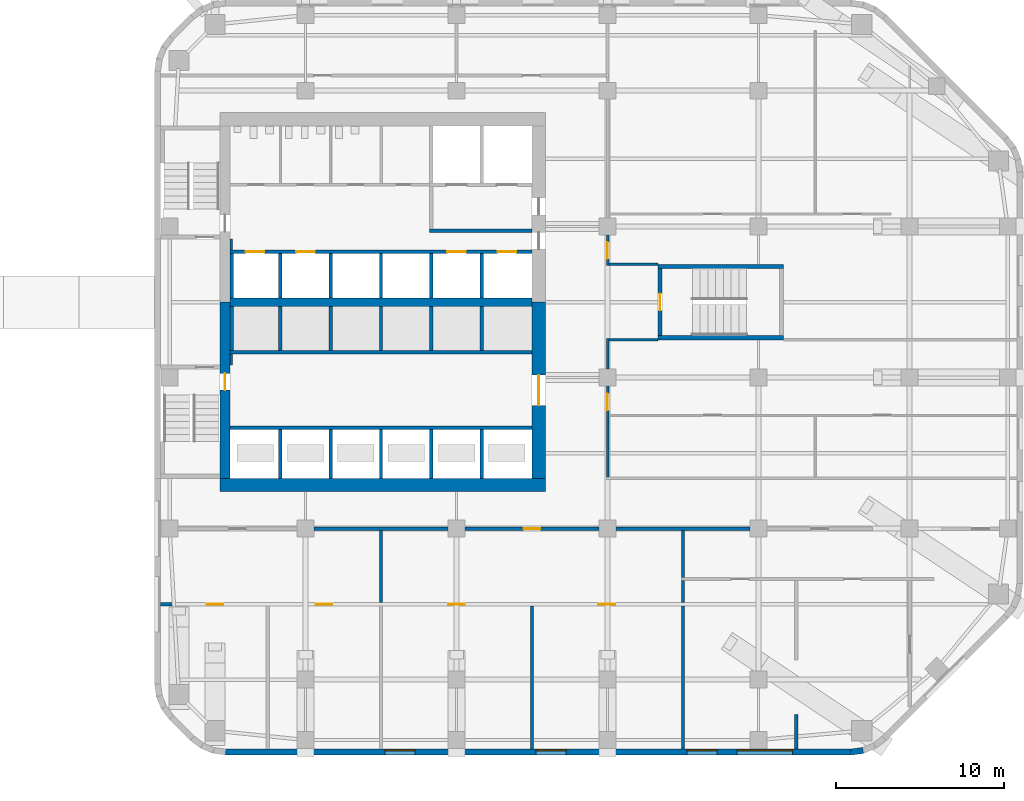
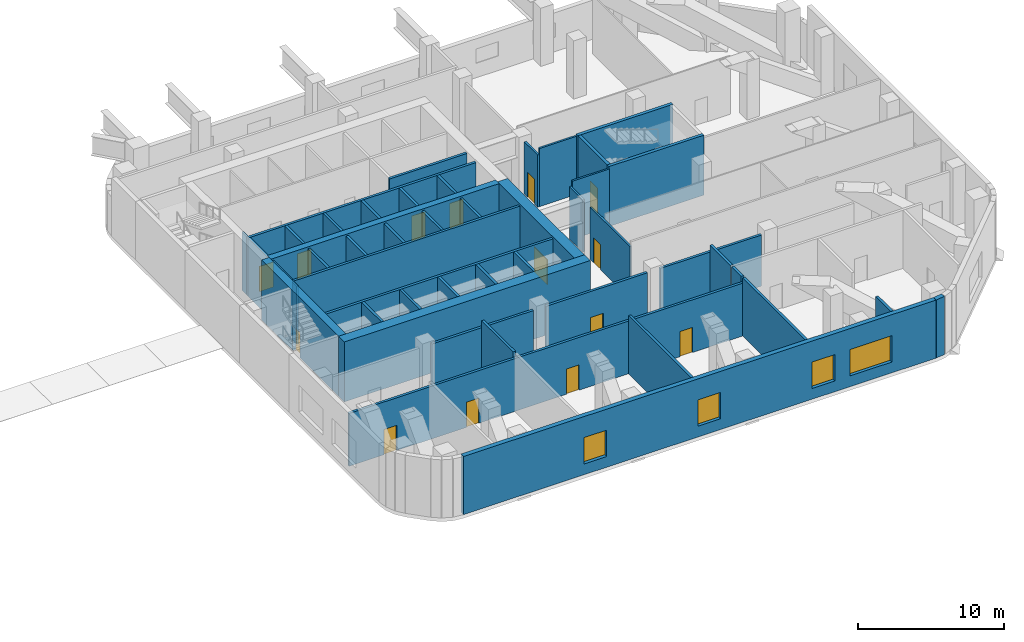
# One storey, part 5 of 11: 47 walls, 14 doors, 4 windows, 18 openings.
"""IFC4 building model written with IfcOpenShell, lengths in metres."""

from ifc_helpers import new_model, si_unit, direction, frame, frame_2d, origin, place, context, subcontext, project, spatial, rectangle, extrude, material, layer, layer_set, type_object, element, fill, save


model = new_model("IFC4")

# Units and contexts
model_context = context("Model", 3, precision=1e-05, world=origin(), true_north=direction((0.0, 1.0)))
body_context = subcontext(model_context, "Body", "Model", "MODEL_VIEW")
ifc_project = project(units=[si_unit("LENGTHUNIT", "METRE"), si_unit("AREAUNIT", "SQUARE_METRE"), si_unit("VOLUMEUNIT", "CUBIC_METRE"), si_unit("PLANEANGLEUNIT", "RADIAN"), si_unit("MASSUNIT", "GRAM", prefix="KILO")], contexts=[model_context])

# Site, building, storey
site_placement = place(None, origin())
site = spatial("IfcSite", under=ifc_project, at=site_placement, CompositionType="ELEMENT")
building_placement = place(site_placement, origin())
building = spatial("IfcBuilding", under=site, at=building_placement, Name="Cinnabar Reach Civic Tower", CompositionType="ELEMENT")
storey_placement = place(building_placement, frame((0.0, 0.0, 144.0)))
storey = spatial("IfcBuildingStorey", under=building, at=storey_placement, Name="L34", CompositionType="ELEMENT", Elevation=144.0)

# Wall
ifc_material_1 = material(Name="Facing brick with insulated backing", Category="masonry")
ifc_layer_1 = layer(ifc_material_1, 0.36)
ifc_layer_set_1 = layer_set([ifc_layer_1], Name="Brick corner wall")
wall_type_1 = type_object("IfcWallType", Name="Brick corner wall", PredefinedType="STANDARD", material=ifc_layer_set_1)
wall_1_placement = place(storey_placement, frame((41.5186, 4.683, 0.0), z_axis=(0.0, 0.0, 1.0), x_axis=(0.99144092581, 0.13055608231, 0.0)))
element("IfcWall", 1, at=wall_1_placement, inside=storey, type_object=wall_type_1, Name="Brick corner wall", PredefinedType="STANDARD", context=body_context, shape_type="SweptSolid", body=[
    extrude(rectangle(XDim=0.7131, YDim=0.36, at=frame_2d((0.3565, 0.0))), origin(), (0.0, 0.0, 1.0), 4.85),
])

# Wall, openings, windows
ifc_layer_2 = layer(ifc_material_1, 0.36)
ifc_layer_set_2 = layer_set([ifc_layer_2], Name="Brick pier and spandrel wall")
wall_type_2 = type_object("IfcWallType", Name="Brick pier and spandrel wall", PredefinedType="STANDARD", material=ifc_layer_set_2)
wall_2_placement = place(storey_placement, frame((4.2426, 4.68, 0.0), z_axis=(0.0, 0.0, 1.0), x_axis=(1.0, 0.0, 0.0)))
wall_2 = element("IfcWall", 2, at=wall_2_placement, inside=storey, type_object=wall_type_2, Name="Brick facade wall", PredefinedType="STANDARD", context=body_context, shape_type="SweptSolid", body=[
    extrude(rectangle(XDim=37.2648, YDim=0.36, at=frame_2d((18.6324, 0.0))), origin(), (0.0, 0.0, 1.0), 4.85),
])
opening_1_placement = place(wall_2_placement, frame((9.4824, 0.0, 0.9)))
opening_1 = element("IfcOpeningElement", 3, at=opening_1_placement, cuts=wall_2, Name="Opening W1721", PredefinedType="OPENING", context=body_context, shape_type="SweptSolid", body=[
    extrude(rectangle(XDim=1.8, YDim=2.2, at=frame_2d((0.9, 1.1))), frame((0.0, 0.19, 0.0), z_axis=(0.0, -1.0, 0.0), x_axis=(1.0, 0.0, 0.0)), (0.0, 0.0, 1.0), 0.38),
])
opening_2_placement = place(wall_2_placement, frame((18.4824, 0.0, 0.9)))
opening_2 = element("IfcOpeningElement", 4, at=opening_2_placement, cuts=wall_2, Name="Opening W1722", PredefinedType="OPENING", context=body_context, shape_type="SweptSolid", body=[
    extrude(rectangle(XDim=1.8, YDim=2.2, at=frame_2d((0.9, 1.1))), frame((0.0, 0.19, 0.0), z_axis=(0.0, -1.0, 0.0), x_axis=(1.0, 0.0, 0.0)), (0.0, 0.0, 1.0), 0.38),
])
opening_3_placement = place(wall_2_placement, frame((27.4824, 0.0, 0.9)))
opening_3 = element("IfcOpeningElement", 5, at=opening_3_placement, cuts=wall_2, Name="Opening W1723", PredefinedType="OPENING", context=body_context, shape_type="SweptSolid", body=[
    extrude(rectangle(XDim=1.8, YDim=2.2, at=frame_2d((0.9, 1.1))), frame((0.0, 0.19, 0.0), z_axis=(0.0, -1.0, 0.0), x_axis=(1.0, 0.0, 0.0)), (0.0, 0.0, 1.0), 0.38),
])
opening_4_placement = place(wall_2_placement, frame((30.4824, 0.0, 0.9)))
opening_4 = element("IfcOpeningElement", 6, at=opening_4_placement, cuts=wall_2, Name="Opening W1724", PredefinedType="OPENING", context=body_context, shape_type="SweptSolid", body=[
    extrude(rectangle(XDim=3.3, YDim=2.2, at=frame_2d((1.65, 1.1))), frame((0.0, 0.19, 0.0), z_axis=(0.0, -1.0, 0.0), x_axis=(1.0, 0.0, 0.0)), (0.0, 0.0, 1.0), 0.38),
])
ifc_material_2 = material(Name="Clear double glazing in aluminium frame", Category="aluminium")
window_type_1 = type_object("IfcWindowType", Name="Deep-set window B", PartitioningType="SINGLE_PANEL", PredefinedType="WINDOW", material=ifc_material_2)
window_1_placement = place(opening_4_placement, origin())
window_1 = element("IfcWindow", 7, at=window_1_placement, inside=storey, type_object=window_type_1, Name="Window south face", OverallHeight=2.2, OverallWidth=3.3, PartitioningType="SINGLE_PANEL", PredefinedType="WINDOW", context=body_context, shape_type="SweptSolid", body=[
    extrude(rectangle(XDim=3.3, YDim=2.2, at=frame_2d((1.65, 1.1))), frame((0.0, 0.13, 0.0), z_axis=(0.0, -1.0, 0.0), x_axis=(1.0, 0.0, 0.0)), (0.0, 0.0, 1.0), 0.06),
])
fill(opening_4, window_1)
window_type_2 = type_object("IfcWindowType", Name="Deep-set window E", PartitioningType="SINGLE_PANEL", PredefinedType="WINDOW", material=ifc_material_2)
window_2_placement = place(opening_1_placement, origin())
window_2 = element("IfcWindow", 8, at=window_2_placement, inside=storey, type_object=window_type_2, Name="Window south face", OverallHeight=2.2, OverallWidth=1.8, PartitioningType="SINGLE_PANEL", PredefinedType="WINDOW", context=body_context, shape_type="SweptSolid", body=[
    extrude(rectangle(XDim=1.8, YDim=2.2, at=frame_2d((0.9, 1.1))), frame((0.0, 0.13, 0.0), z_axis=(0.0, -1.0, 0.0), x_axis=(1.0, 0.0, 0.0)), (0.0, 0.0, 1.0), 0.06),
])
fill(opening_1, window_2)
window_3_placement = place(opening_2_placement, origin())
window_3 = element("IfcWindow", 9, at=window_3_placement, inside=storey, type_object=window_type_2, Name="Window south face", OverallHeight=2.2, OverallWidth=1.8, PartitioningType="SINGLE_PANEL", PredefinedType="WINDOW", context=body_context, shape_type="SweptSolid", body=[
    extrude(rectangle(XDim=1.8, YDim=2.2, at=frame_2d((0.9, 1.1))), frame((0.0, 0.13, 0.0), z_axis=(0.0, -1.0, 0.0), x_axis=(1.0, 0.0, 0.0)), (0.0, 0.0, 1.0), 0.06),
])
fill(opening_2, window_3)
window_4_placement = place(opening_3_placement, origin())
window_4 = element("IfcWindow", 10, at=window_4_placement, inside=storey, type_object=window_type_2, Name="Window south face", OverallHeight=2.2, OverallWidth=1.8, PartitioningType="SINGLE_PANEL", PredefinedType="WINDOW", context=body_context, shape_type="SweptSolid", body=[
    extrude(rectangle(XDim=1.8, YDim=2.2, at=frame_2d((0.9, 1.1))), frame((0.0, 0.13, 0.0), z_axis=(0.0, -1.0, 0.0), x_axis=(1.0, 0.0, 0.0)), (0.0, 0.0, 1.0), 0.06),
])
fill(opening_3, window_4)

# Wall
ifc_material_3 = material(Name="Concrete C60", Category="concrete")
ifc_layer_3 = layer(ifc_material_3, 0.5)
ifc_layer_set_3 = layer_set([ifc_layer_3], Name="Core wall 500 EI 180")
wall_type_3 = type_object("IfcWallType", Name="Core wall 500 EI 180", PredefinedType="SOLIDWALL", material=ifc_layer_set_3)
wall_3_placement = place(storey_placement, frame((4.5, 31.5, 0.0), z_axis=(0.0, 0.0, 1.0), x_axis=(1.0, 0.0, 0.0)))
element("IfcWall", 11, at=wall_3_placement, inside=storey, type_object=wall_type_3, Name="Core spine wall T1 L34", PredefinedType="SOLIDWALL", context=body_context, shape_type="SweptSolid", body=[
    extrude(rectangle(XDim=18.0, YDim=0.5, at=frame_2d((9.0, 0.0))), origin(), (0.0, 0.0, 1.0), 5.0),
])

# Wall, opening, door
ifc_material_4 = material(Name="Concrete C70", Category="concrete")
ifc_layer_4 = layer(ifc_material_4, 0.6)
ifc_layer_set_4 = layer_set([ifc_layer_4], Name="Core wall 600 EI 180")
wall_type_4 = type_object("IfcWallType", Name="Core wall 600 EI 180", PredefinedType="SOLIDWALL", material=ifc_layer_set_4)
wall_4_placement = place(storey_placement, frame((4.2, 31.5, 0.0), z_axis=(0.0, 0.0, 1.0), x_axis=(0.0, -1.0, 0.0)))
wall_4 = element("IfcWall", 12, at=wall_4_placement, inside=storey, type_object=wall_type_4, Name="Core wall T1 L34 W2", PredefinedType="SOLIDWALL", context=body_context, shape_type="SweptSolid", body=[
    extrude(rectangle(XDim=10.5, YDim=0.6, at=frame_2d((5.25, 0.0))), origin(), (0.0, 0.0, 1.0), 5.0),
])
opening_5_placement = place(wall_4_placement, frame((4.25, 0.0, 0.0)))
opening_5 = element("IfcOpeningElement", 13, at=opening_5_placement, cuts=wall_4, Name="Opening D4374", PredefinedType="OPENING", context=body_context, shape_type="SweptSolid", body=[
    extrude(rectangle(XDim=1.0, YDim=2.1, at=frame_2d((0.5, 1.05))), frame((0.0, 0.31, 0.0), z_axis=(0.0, -1.0, 0.0), x_axis=(1.0, 0.0, 0.0)), (0.0, 0.0, 1.0), 0.62),
])
ifc_material_5 = material(Name="Timber door leaf in steel frame", Category="steel")
door_type_1 = type_object("IfcDoorType", Name="Stair door 1000 x 2100 T1", OperationType="SINGLE_SWING_LEFT", PredefinedType="DOOR", material=ifc_material_5)
door_1_placement = place(opening_5_placement, frame((1.0, 0.0, 0.0), z_axis=(0.0, 0.0, 1.0), x_axis=(-1.0, 0.0, 0.0)))
door_1 = element("IfcDoor", 14, at=door_1_placement, inside=storey, type_object=door_type_1, Name="Door D4374", OperationType="SINGLE_SWING_RIGHT", OverallHeight=2.1, OverallWidth=1.0, PredefinedType="DOOR", context=body_context, shape_type="SweptSolid", body=[
    extrude(rectangle(XDim=1.0, YDim=2.1, at=frame_2d((0.5, 1.05))), frame((0.0, 0.025, 0.0), z_axis=(0.0, -1.0, 0.0), x_axis=(1.0, 0.0, 0.0)), (0.0, 0.0, 1.0), 0.05),
])
fill(opening_5, door_1)

# Wall
ifc_layer_5 = layer(ifc_material_4, 0.8)
ifc_layer_set_5 = layer_set([ifc_layer_5], Name="Core wall 800 EI 180")
wall_type_5 = type_object("IfcWallType", Name="Core wall 800 EI 180", PredefinedType="SOLIDWALL", material=ifc_layer_set_5)
wall_5_placement = place(storey_placement, frame((3.9, 20.6, 0.0), z_axis=(0.0, 0.0, 1.0), x_axis=(1.0, 0.0, 0.0)))
element("IfcWall", 15, at=wall_5_placement, inside=storey, type_object=wall_type_5, Name="Core wall T1 L34 S", PredefinedType="SOLIDWALL", context=body_context, shape_type="SweptSolid", body=[
    extrude(rectangle(XDim=19.4, YDim=0.8, at=frame_2d((9.7, 0.0))), origin(), (0.0, 0.0, 1.0), 5.0),
])

# Wall, opening, door
wall_6_placement = place(storey_placement, frame((22.9, 21.0, 0.0), z_axis=(0.0, 0.0, 1.0), x_axis=(0.0, 1.0, 0.0)))
wall_6 = element("IfcWall", 16, at=wall_6_placement, inside=storey, type_object=wall_type_5, Name="Core wall T1 L34 E", PredefinedType="SOLIDWALL", context=body_context, shape_type="SweptSolid", body=[
    extrude(rectangle(XDim=10.5, YDim=0.8, at=frame_2d((5.25, 0.0))), origin(), (0.0, 0.0, 1.0), 5.0),
])
opening_6_placement = place(wall_6_placement, frame((4.35, 0.0, 0.0)))
opening_6 = element("IfcOpeningElement", 17, at=opening_6_placement, cuts=wall_6, Name="Opening D4384", PredefinedType="OPENING", context=body_context, shape_type="SweptSolid", body=[
    extrude(rectangle(XDim=1.8, YDim=2.1, at=frame_2d((0.9, 1.05))), frame((0.0, 0.41, 0.0), z_axis=(0.0, -1.0, 0.0), x_axis=(1.0, 0.0, 0.0)), (0.0, 0.0, 1.0), 0.82),
])
door_type_2 = type_object("IfcDoorType", Name="Double swing door 1800 x 2100 T1", OperationType="DOUBLE_DOOR_DOUBLE_SWING", PredefinedType="DOOR", material=ifc_material_5)
door_2_placement = place(opening_6_placement, origin())
door_2 = element("IfcDoor", 18, at=door_2_placement, inside=storey, type_object=door_type_2, Name="Door D4384", OperationType="DOUBLE_DOOR_DOUBLE_SWING", OverallHeight=2.1, OverallWidth=1.8, PredefinedType="DOOR", context=body_context, shape_type="SweptSolid", body=[
    extrude(rectangle(XDim=1.8, YDim=2.1, at=frame_2d((0.9, 1.05))), frame((0.0, 0.025, 0.0), z_axis=(0.0, -1.0, 0.0), x_axis=(1.0, 0.0, 0.0)), (0.0, 0.0, 1.0), 0.05),
])
fill(opening_6, door_2)

ifc_material_6 = material(Name="Gypsum board on steel studs, double layer", Category="steel")
ifc_layer_6 = layer(ifc_material_6, 0.15)
ifc_layer_set_6 = layer_set([ifc_layer_6], Name="Corridor wall 150 T1")
wall_type_6 = type_object("IfcWallType", Name="Corridor wall 150 T1", PredefinedType="PARTITIONING", material=ifc_layer_set_6)
wall_7_placement = place(storey_placement, frame((27.0, 33.675, 0.0), z_axis=(0.0, 0.0, 1.0), x_axis=(0.0, 1.0, 0.0)))
wall_7 = element("IfcWall", 19, at=wall_7_placement, inside=storey, type_object=wall_type_6, Name="Corridor wall 49", PredefinedType="PARTITIONING", context=body_context, shape_type="SweptSolid", body=[
    extrude(rectangle(XDim=1.825, YDim=0.15, at=frame_2d((0.9125, 0.0))), origin(), (0.0, 0.0, 1.0), 4.362),
])
opening_7_placement = place(wall_7_placement, frame((0.4, 0.0, 0.0)))
opening_7 = element("IfcOpeningElement", 20, at=opening_7_placement, cuts=wall_7, Name="Opening D4392", PredefinedType="OPENING", context=body_context, shape_type="SweptSolid", body=[
    extrude(rectangle(XDim=1.0, YDim=2.1, at=frame_2d((0.5, 1.05))), frame((0.0, 0.085, 0.0), z_axis=(0.0, -1.0, 0.0), x_axis=(1.0, 0.0, 0.0)), (0.0, 0.0, 1.0), 0.17),
])
door_type_3 = type_object("IfcDoorType", Name="Plant room door 1000 x 2100 T1", OperationType="SINGLE_SWING_LEFT", PredefinedType="DOOR", material=ifc_material_5)
door_3_placement = place(opening_7_placement, frame((1.0, 0.0, 0.0), z_axis=(0.0, 0.0, 1.0), x_axis=(-1.0, 0.0, 0.0)))
door_3 = element("IfcDoor", 21, at=door_3_placement, inside=storey, type_object=door_type_3, Name="Door D4392", OperationType="SINGLE_SWING_RIGHT", OverallHeight=2.1, OverallWidth=1.0, PredefinedType="DOOR", context=body_context, shape_type="SweptSolid", body=[
    extrude(rectangle(XDim=1.0, YDim=2.1, at=frame_2d((0.5, 1.05))), frame((0.0, 0.025, 0.0), z_axis=(0.0, -1.0, 0.0), x_axis=(1.0, 0.0, 0.0)), (0.0, 0.0, 1.0), 0.05),
])
fill(opening_7, door_3)

wall_8_placement = place(storey_placement, frame((27.0, 21.075, 0.0), z_axis=(0.0, 0.0, 1.0), x_axis=(0.0, 1.0, 0.0)))
wall_8 = element("IfcWall", 22, at=wall_8_placement, inside=storey, type_object=wall_type_6, Name="Corridor wall 52", PredefinedType="PARTITIONING", context=body_context, shape_type="SweptSolid", body=[
    extrude(rectangle(XDim=5.425, YDim=0.15, at=frame_2d((2.7125, 0.0))), origin(), (0.0, 0.0, 1.0), 4.362),
])
opening_8_placement = place(wall_8_placement, frame((3.975, 0.0, 0.0)))
opening_8 = element("IfcOpeningElement", 23, at=opening_8_placement, cuts=wall_8, Name="Opening D4395", PredefinedType="OPENING", context=body_context, shape_type="SweptSolid", body=[
    extrude(rectangle(XDim=1.0, YDim=2.1, at=frame_2d((0.5, 1.05))), frame((0.0, 0.085, 0.0), z_axis=(0.0, -1.0, 0.0), x_axis=(1.0, 0.0, 0.0)), (0.0, 0.0, 1.0), 0.17),
])
door_4_placement = place(opening_8_placement, frame((1.0, 0.0, 0.0), z_axis=(0.0, 0.0, 1.0), x_axis=(-1.0, 0.0, 0.0)))
door_4 = element("IfcDoor", 24, at=door_4_placement, inside=storey, type_object=door_type_3, Name="Door D4395", OperationType="SINGLE_SWING_RIGHT", OverallHeight=2.1, OverallWidth=1.0, PredefinedType="DOOR", context=body_context, shape_type="SweptSolid", body=[
    extrude(rectangle(XDim=1.0, YDim=2.1, at=frame_2d((0.5, 1.05))), frame((0.0, 0.025, 0.0), z_axis=(0.0, -1.0, 0.0), x_axis=(1.0, 0.0, 0.0)), (0.0, 0.0, 1.0), 0.05),
])
fill(opening_8, door_4)

# Walls
wall_9_placement = place(storey_placement, frame((27.0, 27.5, 0.0), z_axis=(0.0, 0.0, 1.0), x_axis=(0.0, 1.0, 0.0)))
element("IfcWall", 25, at=wall_9_placement, inside=storey, type_object=wall_type_6, Name="Corridor wall 53", PredefinedType="PARTITIONING", context=body_context, shape_type="SweptSolid", body=[
    extrude(rectangle(XDim=1.825, YDim=0.15, at=frame_2d((0.9125, 0.0))), origin(), (0.0, 0.0, 1.0), 4.362),
])
for number, where, z_axis, x_axis, name in (
    (26, (27.075, 29.25, 0.0), (0.0, 0.0, 1.0), (1.0, 0.0, 0.0), "Corridor wall 54"),
    (27, (27.075, 33.75, 0.0), (0.0, 0.0, 1.0), (1.0, 0.0, 0.0), "Corridor wall 55"),
):
    element("IfcWall", number, at=place(storey_placement, frame(where, z_axis=z_axis, x_axis=x_axis)), inside=storey, type_object=wall_type_6, Name=name, PredefinedType="PARTITIONING", context=body_context, shape_type="SweptSolid", body=[
        extrude(rectangle(XDim=2.925, YDim=0.15, at=frame_2d((1.4625, 0.0))), origin(), (0.0, 0.0, 1.0), 4.85),
    ])
for number, where, z_axis, x_axis, name in (
    (28, (4.575, 27.75, 0.0), (0.0, 0.0, 1.0), (0.0, 1.0, 0.0), "Corridor wall 56"),
    (29, (4.575, 34.6, 0.0), (0.0, 0.0, 1.0), (0.0, 1.0, 0.0), "Corridor wall 57"),
):
    element("IfcWall", number, at=place(storey_placement, frame(where, z_axis=z_axis, x_axis=x_axis)), inside=storey, type_object=wall_type_6, Name=name, PredefinedType="PARTITIONING", context=body_context, shape_type="SweptSolid", body=[
        extrude(rectangle(XDim=0.65, YDim=0.15, at=frame_2d((0.325, 0.0))), origin(), (0.0, 0.0, 1.0), 4.85),
    ])
ifc_material_7 = material(Name="Blockwork", Category="masonry")
ifc_layer_7 = layer(ifc_material_7, 0.2)
ifc_layer_set_7 = layer_set([ifc_layer_7], Name="Lift shaft wall 200 T1")
wall_type_7 = type_object("IfcWallType", Name="Lift shaft wall 200 T1", PredefinedType="PARTITIONING", material=ifc_layer_set_7)
for number, where, z_axis, x_axis, name in (
    (30, (4.5, 24.0, 0.0), (0.0, 0.0, 1.0), (1.0, 0.0, 0.0), "Lift shaft wall 25"),
    (31, (4.5, 28.5, 0.0), (0.0, 0.0, 1.0), (1.0, 0.0, 0.0), "Lift shaft wall 26"),
):
    element("IfcWall", number, at=place(storey_placement, frame(where, z_axis=z_axis, x_axis=x_axis)), inside=storey, type_object=wall_type_7, Name=name, PredefinedType="PARTITIONING", context=body_context, shape_type="SweptSolid", body=[
        extrude(rectangle(XDim=18.0, YDim=0.2, at=frame_2d((9.0, 0.0))), origin(), (0.0, 0.0, 1.0), 4.85),
    ])

# Wall, openings, doors
wall_10_placement = place(storey_placement, frame((4.5, 34.5, 0.0), z_axis=(0.0, 0.0, 1.0), x_axis=(1.0, 0.0, 0.0)))
wall_10 = element("IfcWall", 32, at=wall_10_placement, inside=storey, type_object=wall_type_7, Name="Lift shaft wall 27", PredefinedType="PARTITIONING", context=body_context, shape_type="SweptSolid", body=[
    extrude(rectangle(XDim=18.0, YDim=0.2, at=frame_2d((9.0, 0.0))), origin(), (0.0, 0.0, 1.0), 4.85),
])
opening_9_placement = place(wall_10_placement, frame((0.95, 0.0, 0.0)))
opening_9 = element("IfcOpeningElement", 33, at=opening_9_placement, cuts=wall_10, Name="Opening D4378", PredefinedType="OPENING", context=body_context, shape_type="SweptSolid", body=[
    extrude(rectangle(XDim=1.1, YDim=2.1, at=frame_2d((0.55, 1.05))), frame((0.0, 0.11, 0.0), z_axis=(0.0, -1.0, 0.0), x_axis=(1.0, 0.0, 0.0)), (0.0, 0.0, 1.0), 0.22),
])
opening_10_placement = place(wall_10_placement, frame((3.95, 0.0, 0.0)))
opening_10 = element("IfcOpeningElement", 34, at=opening_10_placement, cuts=wall_10, Name="Opening D4379", PredefinedType="OPENING", context=body_context, shape_type="SweptSolid", body=[
    extrude(rectangle(XDim=1.1, YDim=2.1, at=frame_2d((0.55, 1.05))), frame((0.0, 0.11, 0.0), z_axis=(0.0, -1.0, 0.0), x_axis=(1.0, 0.0, 0.0)), (0.0, 0.0, 1.0), 0.22),
])
opening_11_placement = place(wall_10_placement, frame((12.95, 0.0, 0.0)))
opening_11 = element("IfcOpeningElement", 35, at=opening_11_placement, cuts=wall_10, Name="Opening D4380", PredefinedType="OPENING", context=body_context, shape_type="SweptSolid", body=[
    extrude(rectangle(XDim=1.1, YDim=2.1, at=frame_2d((0.55, 1.05))), frame((0.0, 0.11, 0.0), z_axis=(0.0, -1.0, 0.0), x_axis=(1.0, 0.0, 0.0)), (0.0, 0.0, 1.0), 0.22),
])
opening_12_placement = place(wall_10_placement, frame((15.95, 0.0, 0.0)))
opening_12 = element("IfcOpeningElement", 36, at=opening_12_placement, cuts=wall_10, Name="Opening D4381", PredefinedType="OPENING", context=body_context, shape_type="SweptSolid", body=[
    extrude(rectangle(XDim=1.1, YDim=2.1, at=frame_2d((0.55, 1.05))), frame((0.0, 0.11, 0.0), z_axis=(0.0, -1.0, 0.0), x_axis=(1.0, 0.0, 0.0)), (0.0, 0.0, 1.0), 0.22),
])
ifc_material_8 = material(Name="Stainless steel sliding door", Category="steel")
door_type_4 = type_object("IfcDoorType", Name="Lift landing door 1100 x 2100 T1", OperationType="SLIDING_TO_LEFT", PredefinedType="DOOR", material=ifc_material_8)
door_5_placement = place(opening_9_placement, origin())
door_5 = element("IfcDoor", 37, at=door_5_placement, inside=storey, type_object=door_type_4, Name="Lift landing door SH1 L34", OperationType="SLIDING_TO_LEFT", OverallHeight=2.1, OverallWidth=1.1, PredefinedType="DOOR", context=body_context, shape_type="SweptSolid", body=[
    extrude(rectangle(XDim=1.1, YDim=2.1, at=frame_2d((0.55, 1.05))), frame((0.0, 0.025, 0.0), z_axis=(0.0, -1.0, 0.0), x_axis=(1.0, 0.0, 0.0)), (0.0, 0.0, 1.0), 0.05),
])
fill(opening_9, door_5)
door_6_placement = place(opening_10_placement, origin())
door_6 = element("IfcDoor", 38, at=door_6_placement, inside=storey, type_object=door_type_4, Name="Lift landing door SH2 L34", OperationType="SLIDING_TO_LEFT", OverallHeight=2.1, OverallWidth=1.1, PredefinedType="DOOR", context=body_context, shape_type="SweptSolid", body=[
    extrude(rectangle(XDim=1.1, YDim=2.1, at=frame_2d((0.55, 1.05))), frame((0.0, 0.025, 0.0), z_axis=(0.0, -1.0, 0.0), x_axis=(1.0, 0.0, 0.0)), (0.0, 0.0, 1.0), 0.05),
])
fill(opening_10, door_6)
door_7_placement = place(opening_11_placement, origin())
door_7 = element("IfcDoor", 39, at=door_7_placement, inside=storey, type_object=door_type_4, Name="Lift landing door SV1 L34", OperationType="SLIDING_TO_LEFT", OverallHeight=2.1, OverallWidth=1.1, PredefinedType="DOOR", context=body_context, shape_type="SweptSolid", body=[
    extrude(rectangle(XDim=1.1, YDim=2.1, at=frame_2d((0.55, 1.05))), frame((0.0, 0.025, 0.0), z_axis=(0.0, -1.0, 0.0), x_axis=(1.0, 0.0, 0.0)), (0.0, 0.0, 1.0), 0.05),
])
fill(opening_11, door_7)
door_8_placement = place(opening_12_placement, origin())
door_8 = element("IfcDoor", 40, at=door_8_placement, inside=storey, type_object=door_type_4, Name="Lift landing door SV2 L34", OperationType="SLIDING_TO_LEFT", OverallHeight=2.1, OverallWidth=1.1, PredefinedType="DOOR", context=body_context, shape_type="SweptSolid", body=[
    extrude(rectangle(XDim=1.1, YDim=2.1, at=frame_2d((0.55, 1.05))), frame((0.0, 0.025, 0.0), z_axis=(0.0, -1.0, 0.0), x_axis=(1.0, 0.0, 0.0)), (0.0, 0.0, 1.0), 0.05),
])
fill(opening_12, door_8)

# Walls
for number, where, z_axis, x_axis, name in (
    (41, (4.6, 31.75, 0.0), (0.0, 0.0, 1.0), (0.0, 1.0, 0.0), "Lift shaft wall 28"),
    (42, (4.6, 28.6, 0.0), (0.0, 0.0, 1.0), (0.0, 1.0, 0.0), "Lift shaft wall 29"),
    (43, (7.5, 28.6, 0.0), (0.0, 0.0, 1.0), (0.0, 1.0, 0.0), "Lift shaft wall 30"),
    (44, (7.5, 31.75, 0.0), (0.0, 0.0, 1.0), (0.0, 1.0, 0.0), "Lift shaft wall 31"),
    (45, (10.5, 28.6, 0.0), (0.0, 0.0, 1.0), (0.0, 1.0, 0.0), "Lift shaft wall 32"),
    (46, (10.5, 31.75, 0.0), (0.0, 0.0, 1.0), (0.0, 1.0, 0.0), "Lift shaft wall 33"),
    (47, (13.5, 28.6, 0.0), (0.0, 0.0, 1.0), (0.0, 1.0, 0.0), "Lift shaft wall 34"),
    (48, (13.5, 31.75, 0.0), (0.0, 0.0, 1.0), (0.0, 1.0, 0.0), "Lift shaft wall 35"),
    (49, (16.5, 28.6, 0.0), (0.0, 0.0, 1.0), (0.0, 1.0, 0.0), "Lift shaft wall 36"),
    (50, (16.5, 31.75, 0.0), (0.0, 0.0, 1.0), (0.0, 1.0, 0.0), "Lift shaft wall 37"),
    (51, (19.5, 28.6, 0.0), (0.0, 0.0, 1.0), (0.0, 1.0, 0.0), "Lift shaft wall 38"),
    (52, (19.5, 31.75, 0.0), (0.0, 0.0, 1.0), (0.0, 1.0, 0.0), "Lift shaft wall 39"),
):
    element("IfcWall", number, at=place(storey_placement, frame(where, z_axis=z_axis, x_axis=x_axis)), inside=storey, type_object=wall_type_7, Name=name, PredefinedType="PARTITIONING", context=body_context, shape_type="SweptSolid", body=[
        extrude(rectangle(XDim=2.65, YDim=0.2, at=frame_2d((1.325, 0.0))), origin(), (0.0, 0.0, 1.0), 4.85),
    ])
for number, where, z_axis, x_axis, name in (
    (53, (7.5, 21.0, 0.0), (0.0, 0.0, 1.0), (0.0, 1.0, 0.0), "Lift shaft wall 42"),
    (54, (10.5, 21.0, 0.0), (0.0, 0.0, 1.0), (0.0, 1.0, 0.0), "Lift shaft wall 43"),
    (55, (13.5, 21.0, 0.0), (0.0, 0.0, 1.0), (0.0, 1.0, 0.0), "Lift shaft wall 44"),
    (56, (16.5, 21.0, 0.0), (0.0, 0.0, 1.0), (0.0, 1.0, 0.0), "Lift shaft wall 45"),
    (57, (19.5, 21.0, 0.0), (0.0, 0.0, 1.0), (0.0, 1.0, 0.0), "Lift shaft wall 46"),
):
    element("IfcWall", number, at=place(storey_placement, frame(where, z_axis=z_axis, x_axis=x_axis)), inside=storey, type_object=wall_type_7, Name=name, PredefinedType="PARTITIONING", context=body_context, shape_type="SweptSolid", body=[
        extrude(rectangle(XDim=2.9, YDim=0.2, at=frame_2d((1.45, 0.0))), origin(), (0.0, 0.0, 1.0), 4.85),
    ])
ifc_material_9 = material(Name="Concrete C40", Category="concrete")
ifc_layer_8 = layer(ifc_material_9, 0.2)
ifc_layer_set_8 = layer_set([ifc_layer_8], Name="Refuge compartment wall 200 T1")
wall_type_8 = type_object("IfcWallType", Name="Refuge compartment wall 200 T1", PredefinedType="PARTITIONING", material=ifc_layer_set_8)
wall_11_placement = place(storey_placement, frame((27.5, 18.0, 0.0), z_axis=(0.0, 0.0, 1.0), x_axis=(1.0, 0.0, 0.0)))
element("IfcWall", 58, at=wall_11_placement, inside=storey, type_object=wall_type_8, Name="Refuge compartment wall 3", PredefinedType="PARTITIONING", context=body_context, shape_type="SweptSolid", body=[
    extrude(rectangle(XDim=8.0, YDim=0.2, at=frame_2d((4.0, 0.0))), origin(), (0.0, 0.0, 1.0), 4.262),
])

# Wall, opening, door
wall_12_placement = place(storey_placement, frame((18.5, 18.0, 0.0), z_axis=(0.0, 0.0, 1.0), x_axis=(1.0, 0.0, 0.0)))
wall_12 = element("IfcWall", 59, at=wall_12_placement, inside=storey, type_object=wall_type_8, Name="Refuge compartment wall 4", PredefinedType="PARTITIONING", context=body_context, shape_type="SweptSolid", body=[
    extrude(rectangle(XDim=8.0, YDim=0.2, at=frame_2d((4.0, 0.0))), origin(), (0.0, 0.0, 1.0), 4.262),
])
opening_13_placement = place(wall_12_placement, frame((3.5, 0.0, 0.0)))
opening_13 = element("IfcOpeningElement", 60, at=opening_13_placement, cuts=wall_12, Name="Opening D4401", PredefinedType="OPENING", context=body_context, shape_type="SweptSolid", body=[
    extrude(rectangle(XDim=1.0, YDim=2.1, at=frame_2d((0.5, 1.05))), frame((0.0, 0.11, 0.0), z_axis=(0.0, -1.0, 0.0), x_axis=(1.0, 0.0, 0.0)), (0.0, 0.0, 1.0), 0.22),
])
door_type_5 = type_object("IfcDoorType", Name="Refuge door 1000 x 2100 T1", OperationType="SINGLE_SWING_LEFT", PredefinedType="DOOR", material=ifc_material_5)
door_9_placement = place(opening_13_placement, frame((1.0, 0.0, 0.0), z_axis=(0.0, 0.0, 1.0), x_axis=(-1.0, 0.0, 0.0)))
door_9 = element("IfcDoor", 61, at=door_9_placement, inside=storey, type_object=door_type_5, Name="Door D4401", OperationType="SINGLE_SWING_RIGHT", OverallHeight=2.1, OverallWidth=1.0, PredefinedType="DOOR", context=body_context, shape_type="SweptSolid", body=[
    extrude(rectangle(XDim=1.0, YDim=2.1, at=frame_2d((0.5, 1.05))), frame((0.0, 0.025, 0.0), z_axis=(0.0, -1.0, 0.0), x_axis=(1.0, 0.0, 0.0)), (0.0, 0.0, 1.0), 0.05),
])
fill(opening_13, door_9)

# Wall
wall_13_placement = place(storey_placement, frame((9.5, 18.0, 0.0), z_axis=(0.0, 0.0, 1.0), x_axis=(1.0, 0.0, 0.0)))
element("IfcWall", 62, at=wall_13_placement, inside=storey, type_object=wall_type_8, Name="Refuge compartment wall 5", PredefinedType="PARTITIONING", context=body_context, shape_type="SweptSolid", body=[
    extrude(rectangle(XDim=8.0, YDim=0.2, at=frame_2d((4.0, 0.0))), origin(), (0.0, 0.0, 1.0), 4.262),
])

# Wall, openings, doors
wall_14_placement = place(storey_placement, frame((0.36, 13.5, 0.0), z_axis=(0.0, 0.0, 1.0), x_axis=(1.0, 0.0, 0.0)))
wall_14 = element("IfcWall", 63, at=wall_14_placement, inside=storey, type_object=wall_type_8, Name="Refuge compartment wall 7", PredefinedType="PARTITIONING", context=body_context, shape_type="SweptSolid", body=[
    extrude(rectangle(XDim=31.24, YDim=0.2, at=frame_2d((15.62, 0.0))), origin(), (0.0, 0.0, 1.0), 4.4),
])
opening_14_placement = place(wall_14_placement, frame((2.75, 0.0, 0.0)))
opening_14 = element("IfcOpeningElement", 64, at=opening_14_placement, cuts=wall_14, Name="Opening D4399", PredefinedType="OPENING", context=body_context, shape_type="SweptSolid", body=[
    extrude(rectangle(XDim=1.0, YDim=2.1, at=frame_2d((0.5, 1.05))), frame((0.0, 0.11, 0.0), z_axis=(0.0, -1.0, 0.0), x_axis=(1.0, 0.0, 0.0)), (0.0, 0.0, 1.0), 0.22),
])
opening_15_placement = place(wall_14_placement, frame((9.24, 0.0, 0.0)))
opening_15 = element("IfcOpeningElement", 65, at=opening_15_placement, cuts=wall_14, Name="Opening D4400", PredefinedType="OPENING", context=body_context, shape_type="SweptSolid", body=[
    extrude(rectangle(XDim=1.0, YDim=2.1, at=frame_2d((0.5, 1.05))), frame((0.0, 0.11, 0.0), z_axis=(0.0, -1.0, 0.0), x_axis=(1.0, 0.0, 0.0)), (0.0, 0.0, 1.0), 0.22),
])
opening_16_placement = place(wall_14_placement, frame((17.14, 0.0, 0.0)))
opening_16 = element("IfcOpeningElement", 66, at=opening_16_placement, cuts=wall_14, Name="Opening D4402", PredefinedType="OPENING", context=body_context, shape_type="SweptSolid", body=[
    extrude(rectangle(XDim=1.0, YDim=2.1, at=frame_2d((0.5, 1.05))), frame((0.0, 0.11, 0.0), z_axis=(0.0, -1.0, 0.0), x_axis=(1.0, 0.0, 0.0)), (0.0, 0.0, 1.0), 0.22),
])
opening_17_placement = place(wall_14_placement, frame((26.09, 0.0, 0.0)))
opening_17 = element("IfcOpeningElement", 67, at=opening_17_placement, cuts=wall_14, Name="Opening D4403", PredefinedType="OPENING", context=body_context, shape_type="SweptSolid", body=[
    extrude(rectangle(XDim=1.0, YDim=2.1, at=frame_2d((0.5, 1.05))), frame((0.0, 0.11, 0.0), z_axis=(0.0, -1.0, 0.0), x_axis=(1.0, 0.0, 0.0)), (0.0, 0.0, 1.0), 0.22),
])
door_10_placement = place(opening_14_placement, origin())
door_10 = element("IfcDoor", 68, at=door_10_placement, inside=storey, type_object=door_type_5, Name="Door D4399", OperationType="SINGLE_SWING_RIGHT", OverallHeight=2.1, OverallWidth=1.0, PredefinedType="DOOR", context=body_context, shape_type="SweptSolid", body=[
    extrude(rectangle(XDim=1.0, YDim=2.1, at=frame_2d((0.5, 1.05))), frame((0.0, 0.025, 0.0), z_axis=(0.0, -1.0, 0.0), x_axis=(1.0, 0.0, 0.0)), (0.0, 0.0, 1.0), 0.05),
])
fill(opening_14, door_10)
door_11_placement = place(opening_15_placement, origin())
door_11 = element("IfcDoor", 69, at=door_11_placement, inside=storey, type_object=door_type_5, Name="Door D4400", OperationType="SINGLE_SWING_LEFT", OverallHeight=2.1, OverallWidth=1.0, PredefinedType="DOOR", context=body_context, shape_type="SweptSolid", body=[
    extrude(rectangle(XDim=1.0, YDim=2.1, at=frame_2d((0.5, 1.05))), frame((0.0, 0.025, 0.0), z_axis=(0.0, -1.0, 0.0), x_axis=(1.0, 0.0, 0.0)), (0.0, 0.0, 1.0), 0.05),
])
fill(opening_15, door_11)
door_12_placement = place(opening_16_placement, origin())
door_12 = element("IfcDoor", 70, at=door_12_placement, inside=storey, type_object=door_type_5, Name="Door D4402", OperationType="SINGLE_SWING_LEFT", OverallHeight=2.1, OverallWidth=1.0, PredefinedType="DOOR", context=body_context, shape_type="SweptSolid", body=[
    extrude(rectangle(XDim=1.0, YDim=2.1, at=frame_2d((0.5, 1.05))), frame((0.0, 0.025, 0.0), z_axis=(0.0, -1.0, 0.0), x_axis=(1.0, 0.0, 0.0)), (0.0, 0.0, 1.0), 0.05),
])
fill(opening_16, door_12)
door_13_placement = place(opening_17_placement, origin())
door_13 = element("IfcDoor", 71, at=door_13_placement, inside=storey, type_object=door_type_5, Name="Door D4403", OperationType="SINGLE_SWING_LEFT", OverallHeight=2.1, OverallWidth=1.0, PredefinedType="DOOR", context=body_context, shape_type="SweptSolid", body=[
    extrude(rectangle(XDim=1.0, YDim=2.1, at=frame_2d((0.5, 1.05))), frame((0.0, 0.025, 0.0), z_axis=(0.0, -1.0, 0.0), x_axis=(1.0, 0.0, 0.0)), (0.0, 0.0, 1.0), 0.05),
])
fill(opening_17, door_13)

# Walls
wall_15_placement = place(storey_placement, frame((13.5, 13.6, 0.0), z_axis=(0.0, 0.0, 1.0), x_axis=(0.0, 1.0, 0.0)))
element("IfcWall", 72, at=wall_15_placement, inside=storey, type_object=wall_type_8, Name="Refuge compartment wall 10", PredefinedType="PARTITIONING", context=body_context, shape_type="SweptSolid", body=[
    extrude(rectangle(XDim=4.3, YDim=0.2, at=frame_2d((2.15, 0.0))), origin(), (0.0, 0.0, 1.0), 4.85),
])
wall_16_placement = place(storey_placement, frame((31.5, 15.1, 0.0), z_axis=(0.0, 0.0, 1.0), x_axis=(0.0, 1.0, 0.0)))
element("IfcWall", 73, at=wall_16_placement, inside=storey, type_object=wall_type_8, Name="Refuge compartment wall 12", PredefinedType="PARTITIONING", context=body_context, shape_type="SweptSolid", body=[
    extrude(rectangle(XDim=2.8, YDim=0.2, at=frame_2d((1.4, 0.0))), origin(), (0.0, 0.0, 1.0), 4.85),
])
wall_17_placement = place(storey_placement, frame((31.5, 13.6, 0.0), z_axis=(0.0, 0.0, 1.0), x_axis=(0.0, 1.0, 0.0)))
element("IfcWall", 74, at=wall_17_placement, inside=storey, type_object=wall_type_8, Name="Refuge compartment wall 13", PredefinedType="PARTITIONING", context=body_context, shape_type="SweptSolid", body=[
    extrude(rectangle(XDim=1.3, YDim=0.2, at=frame_2d((0.65, 0.0))), origin(), (0.0, 0.0, 1.0), 4.85),
])
wall_18_placement = place(storey_placement, frame((31.5, 4.86, 0.0), z_axis=(0.0, 0.0, 1.0), x_axis=(0.0, 1.0, 0.0)))
element("IfcWall", 75, at=wall_18_placement, inside=storey, type_object=wall_type_8, Name="Refuge compartment wall 14", PredefinedType="PARTITIONING", context=body_context, shape_type="SweptSolid", body=[
    extrude(rectangle(XDim=8.54, YDim=0.2, at=frame_2d((4.27, 0.0))), origin(), (0.0, 0.0, 1.0), 4.85),
])
wall_19_placement = place(storey_placement, frame((38.25, 4.86, 0.0), z_axis=(0.0, 0.0, 1.0), x_axis=(0.0, 1.0, 0.0)))
element("IfcWall", 76, at=wall_19_placement, inside=storey, type_object=wall_type_8, Name="Refuge compartment wall 17", PredefinedType="PARTITIONING", context=body_context, shape_type="SweptSolid", body=[
    extrude(rectangle(XDim=2.0628, YDim=0.2, at=frame_2d((1.0314, 0.0))), origin(), (0.0, 0.0, 1.0), 4.85),
])
wall_20_placement = place(storey_placement, frame((22.5, 4.86, 0.0), z_axis=(0.0, 0.0, 1.0), x_axis=(0.0, 1.0, 0.0)))
element("IfcWall", 77, at=wall_20_placement, inside=storey, type_object=wall_type_8, Name="Refuge compartment wall 19", PredefinedType="PARTITIONING", context=body_context, shape_type="SweptSolid", body=[
    extrude(rectangle(XDim=8.54, YDim=0.2, at=frame_2d((4.27, 0.0))), origin(), (0.0, 0.0, 1.0), 4.85),
])
wall_21_placement = place(storey_placement, frame((16.4, 35.75, 0.0), z_axis=(0.0, 0.0, 1.0), x_axis=(1.0, 0.0, 0.0)))
element("IfcWall", 78, at=wall_21_placement, inside=storey, type_object=wall_type_8, Name="Refuge compartment wall 20", PredefinedType="PARTITIONING", context=body_context, shape_type="SweptSolid", body=[
    extrude(rectangle(XDim=6.1, YDim=0.2, at=frame_2d((3.05, 0.0))), origin(), (0.0, 0.0, 1.0), 4.85),
])
ifc_layer_9 = layer(ifc_material_3, 0.25)
ifc_layer_set_9 = layer_set([ifc_layer_9], Name="Stair shaft wall 250 EI 120")
wall_type_9 = type_object("IfcWallType", Name="Stair shaft wall 250 EI 120", PredefinedType="SOLIDWALL", material=ifc_layer_set_9)
for number, where, z_axis, x_axis, name in (
    (79, (30.0, 29.375, 0.0), (0.0, 0.0, 1.0), (1.0, 0.0, 0.0), "Stair shaft wall T1-S3 L34"),
    (80, (37.5, 33.625, 0.0), (0.0, 0.0, 1.0), (-1.0, 0.0, 0.0), "Stair shaft wall T1-S3 L34"),
):
    element("IfcWall", number, at=place(storey_placement, frame(where, z_axis=z_axis, x_axis=x_axis)), inside=storey, type_object=wall_type_9, Name=name, PredefinedType="SOLIDWALL", context=body_context, shape_type="SweptSolid", body=[
        extrude(rectangle(XDim=7.5, YDim=0.25, at=frame_2d((3.75, 0.0))), origin(), (0.0, 0.0, 1.0), 5.0),
    ])

# Wall, opening, door
wall_22_placement = place(storey_placement, frame((30.125, 33.5, 0.0), z_axis=(0.0, 0.0, 1.0), x_axis=(0.0, -1.0, 0.0)))
wall_22 = element("IfcWall", 81, at=wall_22_placement, inside=storey, type_object=wall_type_9, Name="Stair shaft wall T1-S3 L34", PredefinedType="SOLIDWALL", context=body_context, shape_type="SweptSolid", body=[
    extrude(rectangle(XDim=4.0, YDim=0.25, at=frame_2d((2.0, 0.0))), origin(), (0.0, 0.0, 1.0), 5.0),
])
opening_18_placement = place(wall_22_placement, frame((1.5, 0.0, 0.0)))
opening_18 = element("IfcOpeningElement", 82, at=opening_18_placement, cuts=wall_22, Name="Opening D4387", PredefinedType="OPENING", context=body_context, shape_type="SweptSolid", body=[
    extrude(rectangle(XDim=1.0, YDim=2.1, at=frame_2d((0.5, 1.05))), frame((0.0, 0.135, 0.0), z_axis=(0.0, -1.0, 0.0), x_axis=(1.0, 0.0, 0.0)), (0.0, 0.0, 1.0), 0.27),
])
door_14_placement = place(opening_18_placement, origin())
door_14 = element("IfcDoor", 83, at=door_14_placement, inside=storey, type_object=door_type_1, Name="Door D4387", OperationType="SINGLE_SWING_RIGHT", OverallHeight=2.1, OverallWidth=1.0, PredefinedType="DOOR", context=body_context, shape_type="SweptSolid", body=[
    extrude(rectangle(XDim=1.0, YDim=2.1, at=frame_2d((0.5, 1.05))), frame((0.0, 0.025, 0.0), z_axis=(0.0, -1.0, 0.0), x_axis=(1.0, 0.0, 0.0)), (0.0, 0.0, 1.0), 0.05),
])
fill(opening_18, door_14)

save(model, "model.ifc")
